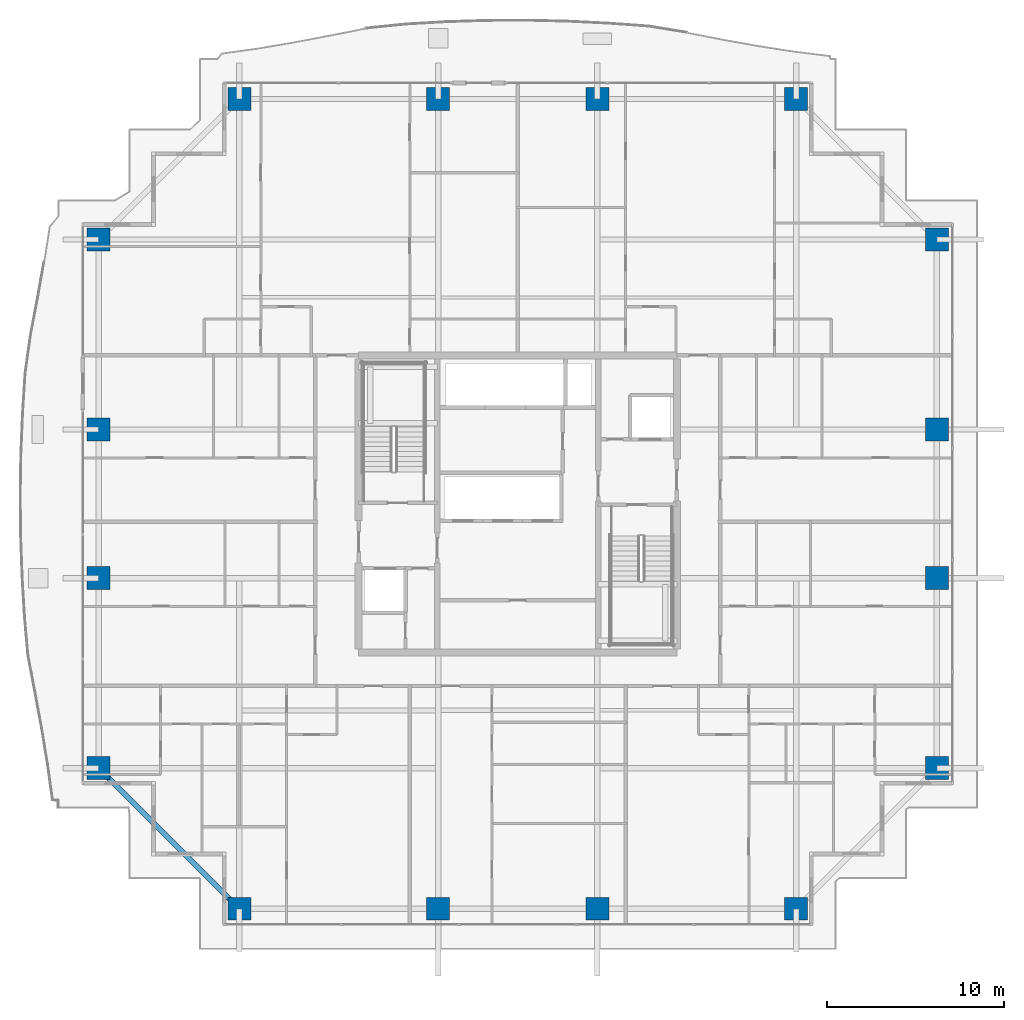
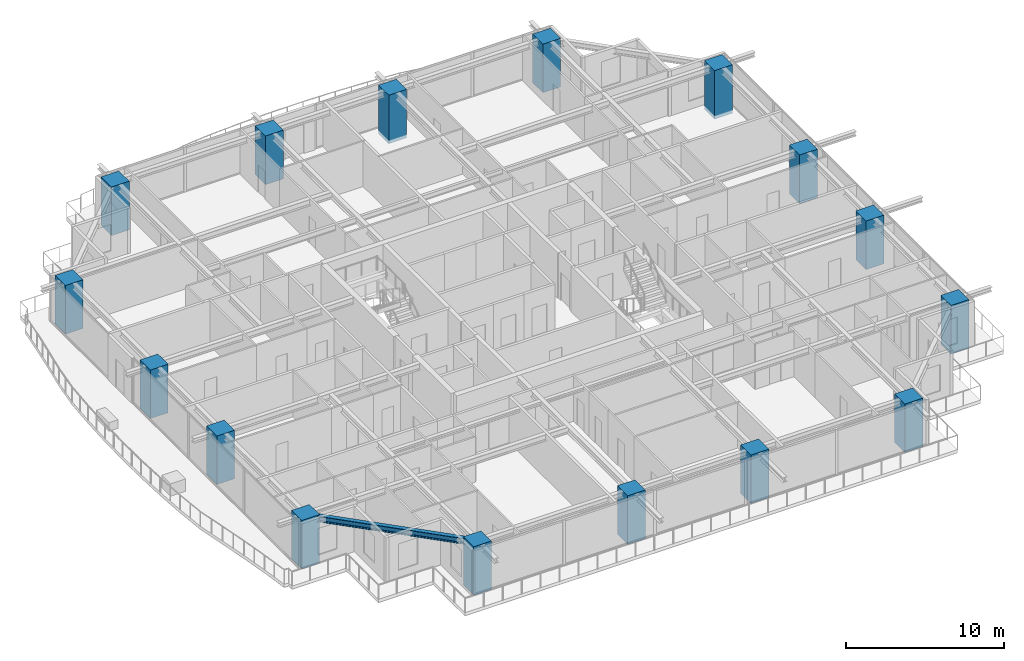
# One storey, part 1 of 37: 16 columns, 1 beam.
"""IFC4 building model written with IfcOpenShell, lengths in metres."""

import ifcopenshell
import ifcopenshell.guid

model = None  # the IFC model being written
_history = None  # IfcOwnerHistory: only IFC2X3 demands one
_inside = {}  # id of a spatial element -> (the spatial element, [elements in it])
_under = {}  # id of a project, library or spatial element -> (it, [spatial elements below it])
_declared = {}  # id of a project -> (the project, [libraries it declares])
_typed = {}  # id of a type object -> (the type object, [elements of that type])
_made_of = {}  # id of a material, layer set ... -> (it, [elements and type objects made of it])


def new_model(schema):
    """Start an empty IFC model of exactly this schema.

    Asked for "IFC4X3", IfcOpenShell would pick the latest addendum, in which some entities
    have other attributes; the version numbers below select the first issue.
    IFC2X3 requires an IfcOwnerHistory on every rooted entity: one is made here for all.
    """
    global model, _history
    if schema == "IFC4X3":
        model = ifcopenshell.file(schema_version=(4, 3, 0, 0))
    else:
        model = ifcopenshell.file(schema=schema)
    _inside.clear()
    _under.clear()
    _declared.clear()
    _typed.clear()
    _made_of.clear()
    _history = None
    if model.schema == "IFC2X3":
        org = make("IfcOrganization", Name="unknown")
        user = make(
            "IfcPersonAndOrganization",
            ThePerson=make("IfcPerson", FamilyName="unknown"),
            TheOrganization=org,
        )
        app = make(
            "IfcApplication",
            ApplicationDeveloper=org,
            Version="unknown",
            ApplicationFullName="unknown",
            ApplicationIdentifier="unknown",
        )
        _history = make(
            "IfcOwnerHistory",
            OwningUser=user,
            OwningApplication=app,
            ChangeAction="ADDED",
            CreationDate=0,
        )
    return model


def make(cls, **values):
    """One entity of the class cls with the attributes given. An attribute that is None is left unset."""
    return model.create_entity(
        cls, **{name: value for name, value in values.items() if value is not None}
    )


def rooted(cls, **values):
    """An entity with a GlobalId (a new one), such as an element, a storey or a relation."""
    return make(cls, GlobalId=ifcopenshell.guid.new(), OwnerHistory=_history, **values)


def si_unit(unit_type, name, prefix=None):
    """IfcSIUnit, for example si_unit("LENGTHUNIT", "METRE", prefix="MILLI")."""
    return make("IfcSIUnit", UnitType=unit_type, Prefix=prefix, Name=name)


def assignment(units):
    """IfcUnitAssignment: the units of a project."""
    return None if units is None else make("IfcUnitAssignment", Units=units)


def point(xyz):
    """IfcCartesianPoint."""
    return None if xyz is None else make("IfcCartesianPoint", Coordinates=xyz)


def direction(xyz):
    """IfcDirection."""
    return None if xyz is None else make("IfcDirection", DirectionRatios=xyz)


def frame(location, z_axis=None, x_axis=None):
    """IfcAxis2Placement3D, a coordinate frame: its origin and axes. An axis left out is left unset."""
    return make(
        "IfcAxis2Placement3D",
        Location=point(location),
        Axis=direction(z_axis),
        RefDirection=direction(x_axis),
    )


def frame_2d(location, x_axis=None):
    """IfcAxis2Placement2D, a coordinate frame in the plane: its origin and x axis."""
    return make(
        "IfcAxis2Placement2D", Location=point(location), RefDirection=direction(x_axis)
    )


def origin():
    """The frame at (0, 0, 0) with its axes left unset."""
    return frame((0.0, 0.0, 0.0))


def origin_2d():
    """The frame at (0, 0) in the plane with its x axis left unset."""
    return frame_2d((0.0, 0.0))


def place(relative_to, where):
    """IfcLocalPlacement: puts the frame where relative to a parent placement (None: the world)."""
    return make(
        "IfcLocalPlacement", PlacementRelTo=relative_to, RelativePlacement=where
    )


def context(
    kind, dimensions, precision=None, world=None, true_north=None, identifier=None
):
    """IfcGeometricRepresentationContext, for example the 3D "Model" context."""
    return make(
        "IfcGeometricRepresentationContext",
        ContextIdentifier=identifier,
        ContextType=kind,
        CoordinateSpaceDimension=dimensions,
        Precision=precision,
        WorldCoordinateSystem=world,
        TrueNorth=true_north,
    )


def subcontext(parent, identifier, kind, view, scale=None):
    """IfcGeometricRepresentationSubContext, for example "Body" below "Model"."""
    return make(
        "IfcGeometricRepresentationSubContext",
        ContextIdentifier=identifier,
        ContextType=kind,
        ParentContext=parent,
        TargetScale=scale,
        TargetView=view,
    )


def project(units=None, contexts=None):
    """IfcProject with its units and contexts."""
    return rooted(
        "IfcProject",
        Name="project",
        RepresentationContexts=contexts,
        UnitsInContext=assignment(units),
    )


def spatial(cls, under=None, at=None, **own):
    """A site, building, storey or space (cls), placed at a placement, below another one or the project."""
    s = rooted(cls, ObjectPlacement=at, **own)
    if under is not None:
        _under.setdefault(under.id(), (under, []))[1].append(s)
    return s


def profile(cls, at=None, kind="AREA", **sizes):
    """A parametric profile (cls). Its sizes go by their IFC names, for example OverallWidth=200.0."""
    return make(cls, ProfileType=kind, Position=at, **sizes)


def rectangle(**sizes):
    """IfcRectangleProfileDef."""
    return profile("IfcRectangleProfileDef", **sizes)


def i_section(**sizes):
    """IfcIShapeProfileDef."""
    return profile("IfcIShapeProfileDef", **sizes)


def extrude(swept, where, along, depth):
    """IfcExtrudedAreaSolid: the profile swept, set in the frame where, extruded along a direction by depth."""
    return make(
        "IfcExtrudedAreaSolid",
        SweptArea=swept,
        Position=where,
        ExtrudedDirection=direction(along),
        Depth=depth,
    )


def shape(context_of_items, identifier, shape_type, items):
    """IfcShapeRepresentation: the items that make up one representation, for example the "Body"."""
    return make(
        "IfcShapeRepresentation",
        ContextOfItems=context_of_items,
        RepresentationIdentifier=identifier,
        RepresentationType=shape_type,
        Items=items,
    )


def source(mapping_origin, context_of_items, identifier, shape_type, items):
    """IfcRepresentationMap: a shape defined once, which mapped items show again and again."""
    return make(
        "IfcRepresentationMap",
        MappingOrigin=mapping_origin,
        MappedRepresentation=shape(context_of_items, identifier, shape_type, items),
    )


def transform(
    local_origin,
    x_axis=None,
    y_axis=None,
    z_axis=None,
    scale=None,
    scale2=None,
    scale3=None,
    uniform=True,
):
    """IfcCartesianTransformationOperator3D, or its non-uniform kind. x_axis, y_axis, z_axis: its Axis1, 2, 3."""
    if uniform:
        return make(
            "IfcCartesianTransformationOperator3D",
            Axis1=direction(x_axis),
            Axis2=direction(y_axis),
            LocalOrigin=point(local_origin),
            Scale=scale,
            Axis3=direction(z_axis),
        )
    return make(
        "IfcCartesianTransformationOperator3DnonUniform",
        Axis1=direction(x_axis),
        Axis2=direction(y_axis),
        LocalOrigin=point(local_origin),
        Scale=scale,
        Axis3=direction(z_axis),
        Scale2=scale2,
        Scale3=scale3,
    )


def mapped(mapping_source, mapping_target):
    """IfcMappedItem: shows the shape of a source again, moved by a transform."""
    return make(
        "IfcMappedItem", MappingSource=mapping_source, MappingTarget=mapping_target
    )


def material(Name=None, Category=None):
    """IfcMaterial."""
    return make("IfcMaterial", Name=Name, Category=Category)


def material_profile(
    of_material, cross_section, Name=None, Category=None, Priority=None
):
    """IfcMaterialProfile: a cross section and its material."""
    return make(
        "IfcMaterialProfile",
        Name=Name,
        Material=of_material,
        Profile=cross_section,
        Priority=Priority,
        Category=Category,
    )


def profile_set(profiles, Name=None, composite=None):
    """IfcMaterialProfileSet."""
    return make(
        "IfcMaterialProfileSet",
        Name=Name,
        MaterialProfiles=profiles,
        CompositeProfile=composite,
    )


def made_of(thing, what):
    """Note that an element or type object is made of a material, layer set ...; save() writes the relation."""
    if what is not None:
        _made_of.setdefault(what.id(), (what, []))[1].append(thing)
    return thing


def type_object(cls, material=None, **own):
    """A type object (cls), such as IfcWallType, which elements share."""
    return made_of(rooted(cls, **own), material)


def element(
    cls,
    number,
    at=None,
    inside=None,
    cuts=None,
    type_object=None,
    material=None,
    context=None,
    identifier="Body",
    shape_type=None,
    held_by="IfcProductDefinitionShape",
    body=None,
    shapes=None,
    **own,
):
    """One element of the class cls, such as IfcWall. Its Tag is "e" and its number.

    at: its placement. inside: the storey or other place that contains it. cuts: it is an
    opening in that element (IfcRelVoidsElement). A single representation is given by context,
    identifier, shape_type and body (its items); several are given by shapes. held_by: the class
    of the entity that holds the representations. save() writes the other relations.
    """
    e = rooted(cls, Tag="e%d" % number, ObjectPlacement=at, **own)
    if body is not None:
        shapes = [shape(context, identifier, shape_type, body)]
    if shapes is not None:
        e.Representation = make(held_by, Representations=shapes)
    if inside is not None:
        _inside.setdefault(inside.id(), (inside, []))[1].append(e)
    if cuts is not None:
        rooted(
            "IfcRelVoidsElement", RelatingBuildingElement=cuts, RelatedOpeningElement=e
        )
    if type_object is not None:
        _typed.setdefault(type_object.id(), (type_object, []))[1].append(e)
    return made_of(e, material)


def aggregate(whole, parts):
    """IfcRelAggregates: a whole, such as a stair, and the parts it consists of."""
    return rooted("IfcRelAggregates", RelatingObject=whole, RelatedObjects=parts)


def save(model, path):
    """Write the relations noted so far, then the file.

    IfcRelAggregates (storeys below a building ...), IfcRelContainedInSpatialStructure (elements
    in a storey), IfcRelDefinesByType, IfcRelAssociatesMaterial and IfcRelDeclares: one each for
    every whole, place, type object, material and project.
    """
    for whole, parts in _under.values():
        aggregate(whole, parts)
    for where, things in _inside.values():
        rooted(
            "IfcRelContainedInSpatialStructure",
            RelatedElements=things,
            RelatingStructure=where,
        )
    for kind, things in _typed.values():
        rooted("IfcRelDefinesByType", RelatedObjects=things, RelatingType=kind)
    for what, things in _made_of.values():
        rooted("IfcRelAssociatesMaterial", RelatedObjects=things, RelatingMaterial=what)
    for by, libraries in _declared.values():
        rooted("IfcRelDeclares", RelatingContext=by, RelatedDefinitions=libraries)
    model.write(path)


model = new_model("IFC4")

# Units and contexts
model_context = context("Model", 3, precision=1e-05, world=origin(), true_north=direction((0.0, 1.0)))
body_context = subcontext(model_context, "Body", "Model", "MODEL_VIEW")
ifc_project = project(units=[si_unit("LENGTHUNIT", "METRE"), si_unit("AREAUNIT", "SQUARE_METRE"), si_unit("VOLUMEUNIT", "CUBIC_METRE"), si_unit("PLANEANGLEUNIT", "RADIAN"), si_unit("MASSUNIT", "GRAM", prefix="KILO")], contexts=[model_context])

# Site, building, storey
site_placement = place(None, origin())
site = spatial("IfcSite", under=ifc_project, at=site_placement, CompositionType="ELEMENT")
building_placement = place(site_placement, origin())
building = spatial("IfcBuilding", under=site, at=building_placement, Name="Serunith Strait Residences", CompositionType="ELEMENT")
storey_placement = place(building_placement, frame((0.0, 0.0, 127.64990234375)))
storey = spatial("IfcBuildingStorey", under=building, at=storey_placement, Name="L31", CompositionType="ELEMENT", Elevation=127.64990234375)

# Columns
ifc_material_1 = material(Name="Concrete C80/95", Category="concrete")
ifc_material_profile_1 = material_profile(ifc_material_1, rectangle(XDim=1.300048828125, YDim=1.300048828125, at=origin_2d()), Name="RC 1300x1300")
ifc_profile_set_1 = profile_set([ifc_material_profile_1], Name="Concrete C80/95")
column_type = type_object("IfcColumnType", Name="COL-RC-1300", PredefinedType="COLUMN", material=ifc_profile_set_1)
shared_shape_1 = source(origin(), body_context, "Body", "SweptSolid", [
    extrude(rectangle(XDim=1.300048828125, YDim=1.300048828125, at=origin_2d()), origin(), (0.0, 0.0, 1.0), 3.75),
])
for number, where, z_axis, x_axis, name in (
    (1, (16.64990234375, 2.300048828125, -0.260009765625), (0.0, 0.0, 1.0), (1.0, 0.0, 0.0), "L31 Tower Mega-Column TC-S1"),
    (2, (27.89990234375, 2.300048828125, -0.260009765625), (0.0, 0.0, 1.0), (1.0, 0.0, 0.0), "L31 Tower Mega-Column TC-S2"),
    (3, (36.89990234375, 2.300048828125, -0.260009765625), (0.0, 0.0, 1.0), (1.0, 0.0, 0.0), "L31 Tower Mega-Column TC-S3"),
    (4, (48.14990234375, 2.300048828125, -0.260009765625), (0.0, 0.0, 1.0), (1.0, 0.0, 0.0), "L31 Tower Mega-Column TC-S4"),
    (5, (16.64990234375, 48.10009765625, -0.260009765625), (0.0, 0.0, 1.0), (1.0, 0.0, 0.0), "L31 Tower Mega-Column TC-N1"),
    (6, (27.89990234375, 48.10009765625, -0.260009765625), (0.0, 0.0, 1.0), (1.0, 0.0, 0.0), "L31 Tower Mega-Column TC-N2"),
    (7, (36.89990234375, 48.10009765625, -0.260009765625), (0.0, 0.0, 1.0), (1.0, 0.0, 0.0), "L31 Tower Mega-Column TC-N3"),
    (8, (48.14990234375, 48.10009765625, -0.260009765625), (0.0, 0.0, 1.0), (1.0, 0.0, 0.0), "L31 Tower Mega-Column TC-N4"),
    (9, (56.10009765625, 10.25, -0.260009765625), (0.0, 0.0, 1.0), (1.0, 0.0, 0.0), "L31 Tower Mega-Column TC-E1"),
    (10, (56.10009765625, 21.0, -0.260009765625), (0.0, 0.0, 1.0), (1.0, 0.0, 0.0), "L31 Tower Mega-Column TC-E2"),
    (11, (56.10009765625, 29.39990234375, -0.260009765625), (0.0, 0.0, 1.0), (1.0, 0.0, 0.0), "L31 Tower Mega-Column TC-E3"),
    (12, (56.10009765625, 40.14990234375, -0.260009765625), (0.0, 0.0, 1.0), (1.0, 0.0, 0.0), "L31 Tower Mega-Column TC-E4"),
    (13, (8.699951171875, 10.25, -0.260009765625), (0.0, 0.0, 1.0), (1.0, 0.0, 0.0), "L31 Tower Mega-Column TC-W1"),
    (14, (8.699951171875, 21.0, -0.260009765625), (0.0, 0.0, 1.0), (1.0, 0.0, 0.0), "L31 Tower Mega-Column TC-W2"),
    (15, (8.699951171875, 29.39990234375, -0.260009765625), (0.0, 0.0, 1.0), (1.0, 0.0, 0.0), "L31 Tower Mega-Column TC-W3"),
    (16, (8.699951171875, 40.14990234375, -0.260009765625), (0.0, 0.0, 1.0), (1.0, 0.0, 0.0), "L31 Tower Mega-Column TC-W4"),
):
    element("IfcColumn", number, at=place(storey_placement, frame(where, z_axis=z_axis, x_axis=x_axis)), inside=storey, type_object=column_type, Name=name, PredefinedType="COLUMN", context=body_context, shape_type="MappedRepresentation", body=[
        mapped(shared_shape_1, transform((0.0, 0.0, 0.0), scale=1.0)),
    ])

# Beam
ifc_material_2 = material(Name="Steel S355J2", Category="steel")
ifc_material_profile_2 = material_profile(ifc_material_2, i_section(OverallWidth=0.300048828125, OverallDepth=0.449951171875, WebThickness=0.013916015625, FlangeThickness=0.02587890625, FilletRadius=0.027099609375, at=origin_2d()), Name="HEB 450")
ifc_profile_set_2 = profile_set([ifc_material_profile_2], Name="Steel S355J2")
beam_type = type_object("IfcBeamType", Name="BM-HEB450", PredefinedType="BEAM", material=ifc_profile_set_2)
shared_shape_2 = source(origin(), body_context, "Body", "SweptSolid", [
    extrude(i_section(OverallWidth=0.300048828125, OverallDepth=0.449951171875, WebThickness=0.013916015625, FlangeThickness=0.02587890625, FilletRadius=0.027099609375, at=origin_2d()), origin(), (0.0, 0.0, 1.0), 11.242919921875),
])
beam_placement = place(storey_placement, frame((8.699951171875, 10.25, 3.232177734375), z_axis=(0.707106781187, -0.707106781187, 0.0), x_axis=(0.707106781187, 0.707106781187, 0.0)))
element("IfcBeam", 17, at=beam_placement, inside=storey, type_object=beam_type, Name="L31 Perimeter Ring Beam 16", PredefinedType="BEAM", context=body_context, shape_type="MappedRepresentation", body=[
    mapped(shared_shape_2, transform((0.0, 0.0, 0.0), scale=1.0)),
])

save(model, "model.ifc")
